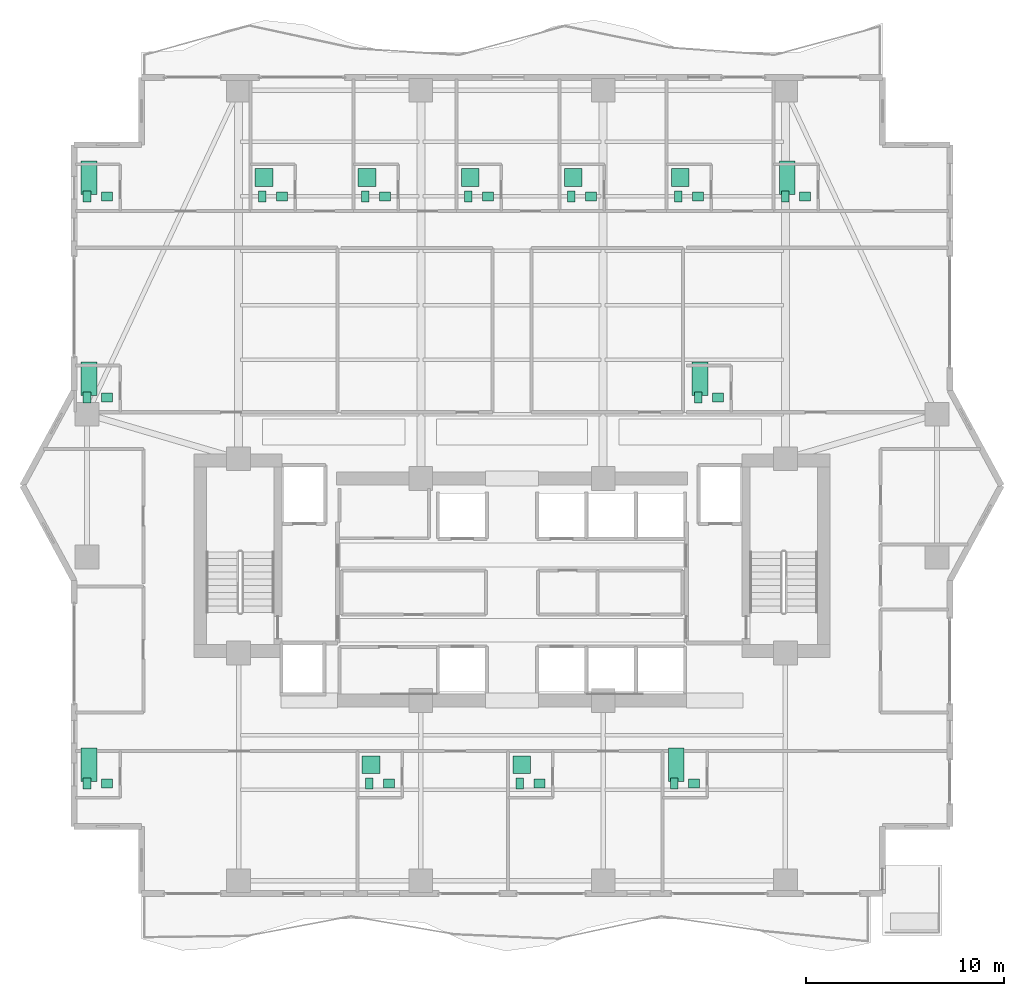
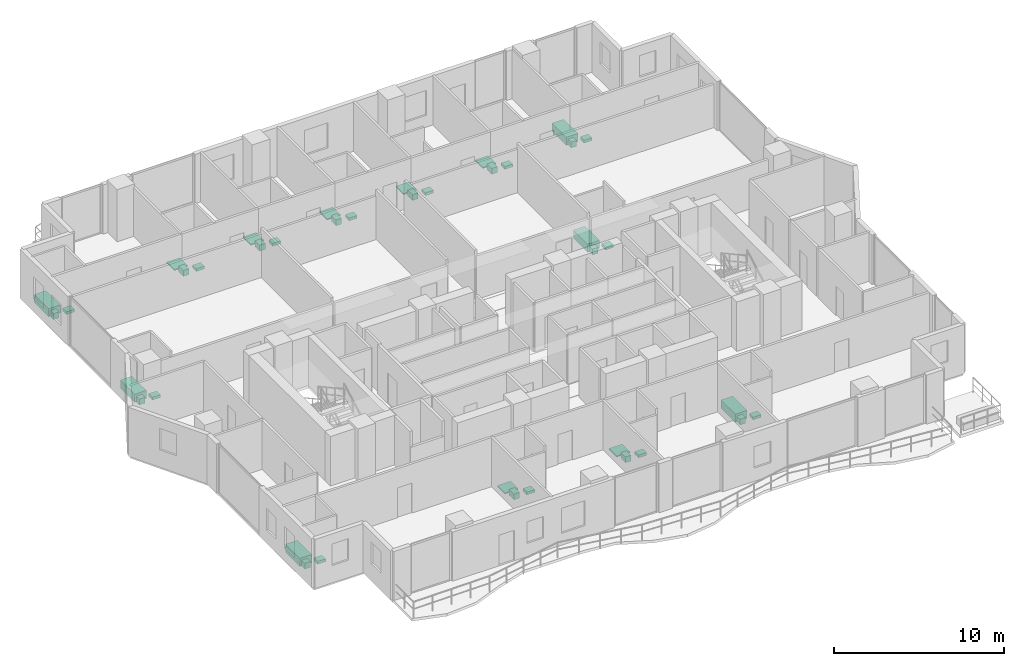
# One storey, part 33 of 33: 39 sanitary terminals.
"""IFC4 building model written with IfcOpenShell, lengths in metres."""

from ifc_helpers import new_model, si_unit, direction, frame, origin, origin_2d, place, context, subcontext, project, spatial, rectangle, extrude, material, type_object, element, save


model = new_model("IFC4")

# Units and contexts
model_context = context("Model", 3, precision=1e-05, world=origin(), true_north=direction((0.0, 1.0)))
body_context = subcontext(model_context, "Body", "Model", "MODEL_VIEW")
ifc_project = project(units=[si_unit("LENGTHUNIT", "METRE"), si_unit("AREAUNIT", "SQUARE_METRE"), si_unit("VOLUMEUNIT", "CUBIC_METRE"), si_unit("PLANEANGLEUNIT", "RADIAN"), si_unit("MASSUNIT", "GRAM", prefix="KILO")], contexts=[model_context])

# Site, building, storey
site_placement = place(None, origin())
site = spatial("IfcSite", under=ifc_project, at=site_placement, CompositionType="ELEMENT")
building_placement = place(site_placement, origin())
building = spatial("IfcBuilding", under=site, at=building_placement, Name="Zuhayl Quay Hotel", CompositionType="ELEMENT")
storey_placement = place(building_placement, frame((0.0, 0.0, 199.89990234375)))
storey = spatial("IfcBuildingStorey", under=building, at=storey_placement, Name="L50", CompositionType="ELEMENT", Elevation=199.89990234375)

# Sanitary terminals
ifc_material = material(Name="Vitreous Porcelain Sanitaryware")
sanitary_terminal_type_1 = type_object("IfcSanitaryTerminalType", Name="SAN_BASIN", PredefinedType="WASHHANDBASIN", material=ifc_material)
for number, where, z_axis, x_axis, name in (
    (1, (-20.449951171875, 27.590087890625, 0.0), (0.0, 0.0, 1.0), (1.0, 0.0, 0.0), "L50 Sanitary Fixture WASHHANDBASIN"),
    (2, (-11.610107421875, 27.590087890625, 0.0), (0.0, 0.0, 1.0), (1.0, 0.0, 0.0), "L50 Sanitary Fixture WASHHANDBASIN"),
    (3, (-6.409912109375, 27.590087890625, 0.0), (0.0, 0.0, 1.0), (1.0, 0.0, 0.0), "L50 Sanitary Fixture WASHHANDBASIN"),
    (4, (-1.2099609375, 27.590087890625, 0.0), (0.0, 0.0, 1.0), (1.0, 0.0, 0.0), "L50 Sanitary Fixture WASHHANDBASIN"),
    (5, (3.989990234375, 27.590087890625, 0.0), (0.0, 0.0, 1.0), (1.0, 0.0, 0.0), "L50 Sanitary Fixture WASHHANDBASIN"),
    (6, (9.389892578125, 27.590087890625, 0.0), (0.0, 0.0, 1.0), (1.0, 0.0, 0.0), "L50 Sanitary Fixture WASHHANDBASIN"),
    (7, (14.7900390625, 27.590087890625, 0.0), (0.0, 0.0, 1.0), (1.0, 0.0, 0.0), "L50 Sanitary Fixture WASHHANDBASIN"),
    (8, (-20.449951171875, 17.43994140625, 0.0), (0.0, 0.0, 1.0), (1.0, 0.0, 0.0), "L50 Sanitary Fixture WASHHANDBASIN"),
    (9, (10.389892578125, 17.43994140625, 0.0), (0.0, 0.0, 1.0), (1.0, 0.0, 0.0), "L50 Sanitary Fixture WASHHANDBASIN"),
    (10, (-20.449951171875, -2.0400390625, 0.0), (0.0, 0.0, 1.0), (1.0, 0.0, 0.0), "L50 Sanitary Fixture WASHHANDBASIN"),
    (11, (-6.2099609375, -2.0400390625, 0.0), (0.0, 0.0, 1.0), (1.0, 0.0, 0.0), "L50 Sanitary Fixture WASHHANDBASIN"),
    (12, (1.389892578125, -2.0400390625, 0.0), (0.0, 0.0, 1.0), (1.0, 0.0, 0.0), "L50 Sanitary Fixture WASHHANDBASIN"),
    (13, (9.18994140625, -2.0400390625, 0.0), (0.0, 0.0, 1.0), (1.0, 0.0, 0.0), "L50 Sanitary Fixture WASHHANDBASIN"),
):
    element("IfcSanitaryTerminal", number, at=place(storey_placement, frame(where, z_axis=z_axis, x_axis=x_axis)), inside=storey, type_object=sanitary_terminal_type_1, Name=name, PredefinedType="WASHHANDBASIN", context=body_context, shape_type="SweptSolid", body=[
        extrude(rectangle(XDim=0.550048828125, YDim=0.449951171875, at=origin_2d()), origin(), (0.0, 0.0, 1.0), 0.199951171875),
    ])
sanitary_terminal_type_2 = type_object("IfcSanitaryTerminalType", Name="SAN_BATH", PredefinedType="BATH", material=ifc_material)
for number, where, z_axis, x_axis, name in (
    (14, (-21.35009765625, 28.5400390625, 0.0), (0.0, 0.0, 1.0), (1.0, 0.0, 0.0), "L50 Sanitary Fixture BATH"),
    (15, (13.889892578125, 28.5400390625, 0.0), (0.0, 0.0, 1.0), (1.0, 0.0, 0.0), "L50 Sanitary Fixture BATH"),
    (16, (-21.35009765625, 18.389892578125, 0.0), (0.0, 0.0, 1.0), (1.0, 0.0, 0.0), "L50 Sanitary Fixture BATH"),
    (17, (9.489990234375, 18.389892578125, 0.0), (0.0, 0.0, 1.0), (1.0, 0.0, 0.0), "L50 Sanitary Fixture BATH"),
    (18, (-21.35009765625, -1.090087890625, 0.0), (0.0, 0.0, 1.0), (1.0, 0.0, 0.0), "L50 Sanitary Fixture BATH"),
    (19, (8.2900390625, -1.090087890625, 0.0), (0.0, 0.0, 1.0), (1.0, 0.0, 0.0), "L50 Sanitary Fixture BATH"),
):
    element("IfcSanitaryTerminal", number, at=place(storey_placement, frame(where, z_axis=z_axis, x_axis=x_axis)), inside=storey, type_object=sanitary_terminal_type_2, Name=name, PredefinedType="BATH", context=body_context, shape_type="SweptSolid", body=[
        extrude(rectangle(XDim=0.800048828125, YDim=1.699951171875, at=origin_2d()), origin(), (0.0, 0.0, 1.0), 0.580078125),
    ])
sanitary_terminal_type_3 = type_object("IfcSanitaryTerminalType", Name="SAN_SHOWER", PredefinedType="SHOWER", material=ifc_material)
for number, where, z_axis, x_axis, name in (
    (20, (-12.510009765625, 28.5400390625, 0.0), (0.0, 0.0, 1.0), (1.0, 0.0, 0.0), "L50 Sanitary Fixture SHOWER"),
    (21, (-7.31005859375, 28.5400390625, 0.0), (0.0, 0.0, 1.0), (1.0, 0.0, 0.0), "L50 Sanitary Fixture SHOWER"),
    (22, (-2.110107421875, 28.5400390625, 0.0), (0.0, 0.0, 1.0), (1.0, 0.0, 0.0), "L50 Sanitary Fixture SHOWER"),
    (23, (3.090087890625, 28.5400390625, 0.0), (0.0, 0.0, 1.0), (1.0, 0.0, 0.0), "L50 Sanitary Fixture SHOWER"),
    (24, (8.489990234375, 28.5400390625, 0.0), (0.0, 0.0, 1.0), (1.0, 0.0, 0.0), "L50 Sanitary Fixture SHOWER"),
    (25, (-7.110107421875, -1.090087890625, 0.0), (0.0, 0.0, 1.0), (1.0, 0.0, 0.0), "L50 Sanitary Fixture SHOWER"),
    (26, (0.489990234375, -1.090087890625, 0.0), (0.0, 0.0, 1.0), (1.0, 0.0, 0.0), "L50 Sanitary Fixture SHOWER"),
):
    element("IfcSanitaryTerminal", number, at=place(storey_placement, frame(where, z_axis=z_axis, x_axis=x_axis)), inside=storey, type_object=sanitary_terminal_type_3, Name=name, PredefinedType="SHOWER", context=body_context, shape_type="SweptSolid", body=[
        extrude(rectangle(XDim=0.89990234375, YDim=0.89990234375, at=origin_2d()), origin(), (0.0, 0.0, 1.0), 0.080078125),
    ])
sanitary_terminal_type_4 = type_object("IfcSanitaryTerminalType", Name="SAN_WC", PredefinedType="TOILETPAN", material=ifc_material)
for number, where, z_axis, x_axis, name in (
    (27, (-21.449951171875, 27.590087890625, 0.000244140625), (0.0, 0.0, 1.0), (1.0, 0.0, 0.0), "L50 Sanitary Fixture TOILETPAN"),
    (28, (-12.610107421875, 27.590087890625, 0.000244140625), (0.0, 0.0, 1.0), (1.0, 0.0, 0.0), "L50 Sanitary Fixture TOILETPAN"),
    (29, (-7.409912109375, 27.590087890625, 0.000244140625), (0.0, 0.0, 1.0), (1.0, 0.0, 0.0), "L50 Sanitary Fixture TOILETPAN"),
    (30, (-2.2099609375, 27.590087890625, 0.000244140625), (0.0, 0.0, 1.0), (1.0, 0.0, 0.0), "L50 Sanitary Fixture TOILETPAN"),
    (31, (2.989990234375, 27.590087890625, 0.000244140625), (0.0, 0.0, 1.0), (1.0, 0.0, 0.0), "L50 Sanitary Fixture TOILETPAN"),
    (32, (8.389892578125, 27.590087890625, 0.000244140625), (0.0, 0.0, 1.0), (1.0, 0.0, 0.0), "L50 Sanitary Fixture TOILETPAN"),
    (33, (13.7900390625, 27.590087890625, 0.000244140625), (0.0, 0.0, 1.0), (1.0, 0.0, 0.0), "L50 Sanitary Fixture TOILETPAN"),
    (34, (-21.449951171875, 17.43994140625, 0.000244140625), (0.0, 0.0, 1.0), (1.0, 0.0, 0.0), "L50 Sanitary Fixture TOILETPAN"),
    (35, (9.389892578125, 17.43994140625, 0.000244140625), (0.0, 0.0, 1.0), (1.0, 0.0, 0.0), "L50 Sanitary Fixture TOILETPAN"),
    (36, (-21.449951171875, -2.0400390625, 0.000244140625), (0.0, 0.0, 1.0), (1.0, 0.0, 0.0), "L50 Sanitary Fixture TOILETPAN"),
    (37, (-7.2099609375, -2.0400390625, 0.000244140625), (0.0, 0.0, 1.0), (1.0, 0.0, 0.0), "L50 Sanitary Fixture TOILETPAN"),
    (38, (0.389892578125, -2.0400390625, 0.000244140625), (0.0, 0.0, 1.0), (1.0, 0.0, 0.0), "L50 Sanitary Fixture TOILETPAN"),
    (39, (8.18994140625, -2.0400390625, 0.000244140625), (0.0, 0.0, 1.0), (1.0, 0.0, 0.0), "L50 Sanitary Fixture TOILETPAN"),
):
    element("IfcSanitaryTerminal", number, at=place(storey_placement, frame(where, z_axis=z_axis, x_axis=x_axis)), inside=storey, type_object=sanitary_terminal_type_4, Name=name, PredefinedType="TOILETPAN", context=body_context, shape_type="SweptSolid", body=[
        extrude(rectangle(XDim=0.3798828125, YDim=0.56005859375, at=origin_2d()), origin(), (0.0, 0.0, 1.0), 0.419921875),
    ])

save(model, "model.ifc")
